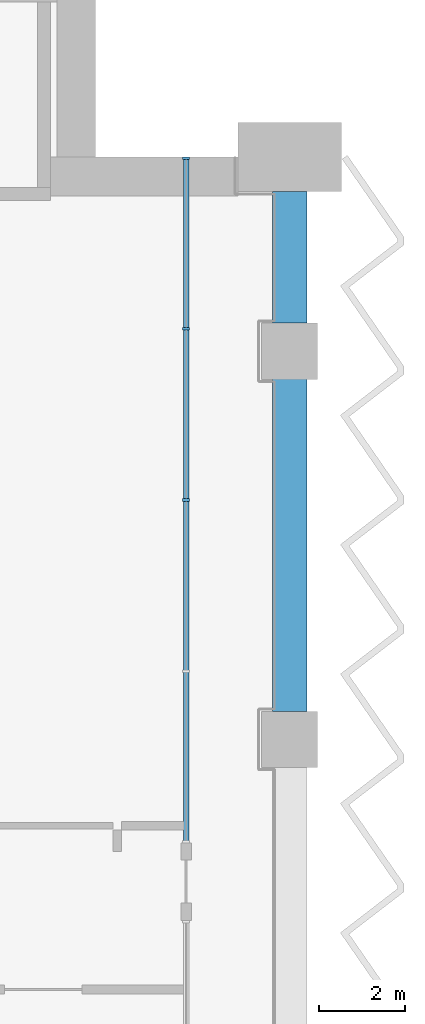
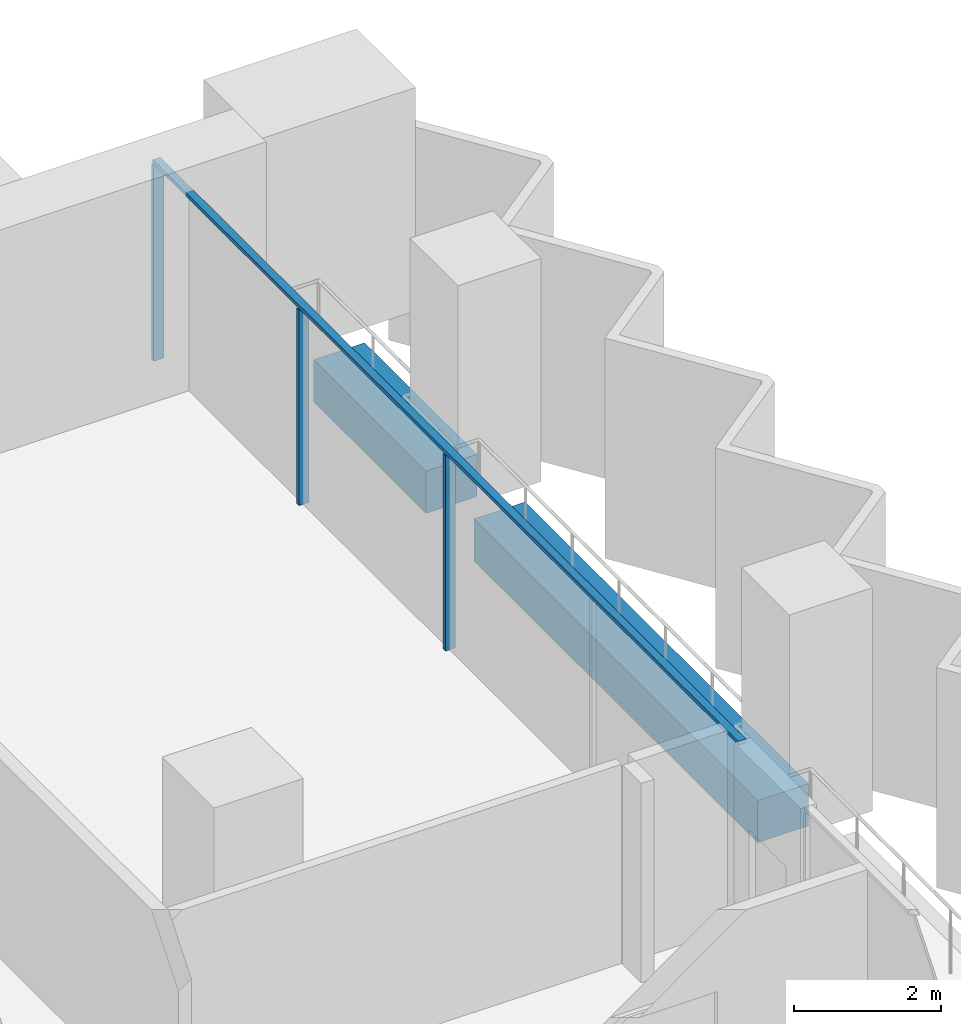
# One storey, part 7 of 29: 4 members, 2 beams, 1 element without a shape of its own.
"""IFC4 building model written with IfcOpenShell, lengths in metres."""

from ifc_helpers import new_model, si_unit, direction, frame, origin, origin_2d, place, context, subcontext, project, spatial, rectangle, extrude, material, material_profile, profile_set, type_object, element, aggregate, save


model = new_model("IFC4")

# Units and contexts
model_context = context("Model", 3, precision=1e-05, world=origin(), true_north=direction((0.0, 1.0)))
body_context = subcontext(model_context, "Body", "Model", "MODEL_VIEW")
ifc_project = project(units=[si_unit("LENGTHUNIT", "METRE"), si_unit("AREAUNIT", "SQUARE_METRE"), si_unit("VOLUMEUNIT", "CUBIC_METRE"), si_unit("PLANEANGLEUNIT", "RADIAN"), si_unit("MASSUNIT", "GRAM", prefix="KILO")], contexts=[model_context])

# Site, building, storey
site_placement = place(None, origin())
site = spatial("IfcSite", under=ifc_project, at=site_placement, CompositionType="ELEMENT")
building_placement = place(site_placement, origin())
building = spatial("IfcBuilding", under=site, at=building_placement, Name="Hunhe Ridgeline Campus", CompositionType="ELEMENT")
storey_placement = place(building_placement, frame((0.0, 0.0, 65.39990234375)))
storey = spatial("IfcBuildingStorey", under=building, at=storey_placement, Name="L15", CompositionType="ELEMENT", Elevation=65.39990234375)

# Curtain wall, members
ifc_material_1 = material(Name="Aluminium 6063", Category="aluminium")
curtain_wall_type = type_object("IfcCurtainWallType", Name="Curtain wall CW-1", PredefinedType="NOTDEFINED", material=ifc_material_1)
curtain_wall_placement = place(storey_placement, origin())
curtain_wall = element("IfcCurtainWall", 1, at=curtain_wall_placement, inside=storey, type_object=curtain_wall_type, Name="Curtain wall 15", PredefinedType="NOTDEFINED")
ifc_material_profile_1 = material_profile(ifc_material_1, rectangle(XDim=0.159912109375, YDim=0.06005859375, at=origin_2d()))
ifc_profile_set_1 = profile_set([ifc_material_profile_1], Name="Aluminium 6063")
member_type_1 = type_object("IfcMemberType", Name="CW-1 aluminium mullion", PredefinedType="MULLION", material=ifc_profile_set_1)
member_1_placement = place(storey_placement, frame((96.59912109375, 86.55029296875, 0.0), z_axis=(0.0, 0.0, 1.0), x_axis=(-1.0, 0.0, 0.0)))
member_1 = element("IfcMember", 2, at=member_1_placement, type_object=member_type_1, Name="CW-1 mullion 3", PredefinedType="MULLION", context=body_context, shape_type="SweptSolid", body=[
    extrude(rectangle(XDim=0.159912109375, YDim=0.06005859375, at=origin_2d()), origin(), (0.0, 0.0, 1.0), 3.239990234375),
])
member_2_placement = place(storey_placement, frame((96.59912109375, 90.525146484375, 0.0), z_axis=(0.0, 0.0, 1.0), x_axis=(-1.0, 0.0, 0.0)))
member_2 = element("IfcMember", 3, at=member_2_placement, type_object=member_type_1, Name="CW-1 mullion 4", PredefinedType="MULLION", context=body_context, shape_type="SweptSolid", body=[
    extrude(rectangle(XDim=0.159912109375, YDim=0.06005859375, at=origin_2d()), origin(), (0.0, 0.0, 1.0), 3.239990234375),
])
member_3_placement = place(storey_placement, frame((96.59912109375, 94.469970703125, 0.0), z_axis=(0.0, 0.0, 1.0), x_axis=(-1.0, 0.0, 0.0)))
member_3 = element("IfcMember", 4, at=member_3_placement, type_object=member_type_1, Name="CW-1 mullion 5", PredefinedType="MULLION", context=body_context, shape_type="SweptSolid", body=[
    extrude(rectangle(XDim=0.159912109375, YDim=0.06005859375, at=origin_2d()), origin(), (0.0, 0.0, 1.0), 3.239990234375),
])
ifc_material_profile_2 = material_profile(ifc_material_1, rectangle(XDim=0.1201171875, YDim=0.06005859375, at=origin_2d()))
ifc_profile_set_2 = profile_set([ifc_material_profile_2], Name="Aluminium 6063")
member_type_2 = type_object("IfcMemberType", Name="CW-1 aluminium transom", PredefinedType="USERDEFINED", material=ifc_profile_set_2)
member_4_placement = place(storey_placement, frame((96.59912109375, 78.6005859375, 3.27001953125), z_axis=(0.0, 1.0, 0.0), x_axis=(-1.0, 0.0, 0.0)))
member_4 = element("IfcMember", 5, at=member_4_placement, type_object=member_type_2, Name="CW-1 transom 1", ObjectType="TRANSOM", PredefinedType="USERDEFINED", context=body_context, shape_type="SweptSolid", body=[
    extrude(rectangle(XDim=0.1201171875, YDim=0.06005859375, at=origin_2d()), origin(), (0.0, 0.0, 1.0), 15.8994140625),
])
aggregate(curtain_wall, [member_4, member_1, member_2, member_3])

# Beams
ifc_material_2 = material(Name="Concrete C60", Category="concrete")
ifc_material_profile_3 = material_profile(ifc_material_2, rectangle(XDim=0.800048828125, YDim=0.699951171875, at=origin_2d()))
ifc_profile_set_3 = profile_set([ifc_material_profile_3], Name="Concrete C60")
beam_type = type_object("IfcBeamType", Name="RC spandrel beam 800x700 Concrete C60", PredefinedType="SPANDREL", material=ifc_profile_set_3)
beam_1_placement = place(storey_placement, frame((99.0, 81.64990234375, -0.599853515625), z_axis=(0.0, 1.0, 0.0), x_axis=(-1.0, 0.0, 0.0)))
element("IfcBeam", 6, at=beam_1_placement, inside=storey, type_object=beam_type, Name="Spandrel beam B1-23 L15", PredefinedType="SPANDREL", context=body_context, shape_type="SweptSolid", body=[
    extrude(rectangle(XDim=0.800048828125, YDim=0.699951171875, at=origin_2d()), origin(), (0.0, 0.0, 1.0), 7.7001953125),
])
beam_2_placement = place(storey_placement, frame((99.0, 90.64990234375, -0.599853515625), z_axis=(0.0, 1.0, 0.0), x_axis=(-1.0, 0.0, 0.0)))
element("IfcBeam", 7, at=beam_2_placement, inside=storey, type_object=beam_type, Name="Spandrel beam B1-24 L15", PredefinedType="SPANDREL", context=body_context, shape_type="SweptSolid", body=[
    extrude(rectangle(XDim=0.800048828125, YDim=0.699951171875, at=origin_2d()), origin(), (0.0, 0.0, 1.0), 3.050048828125),
])

save(model, "model.ifc")
